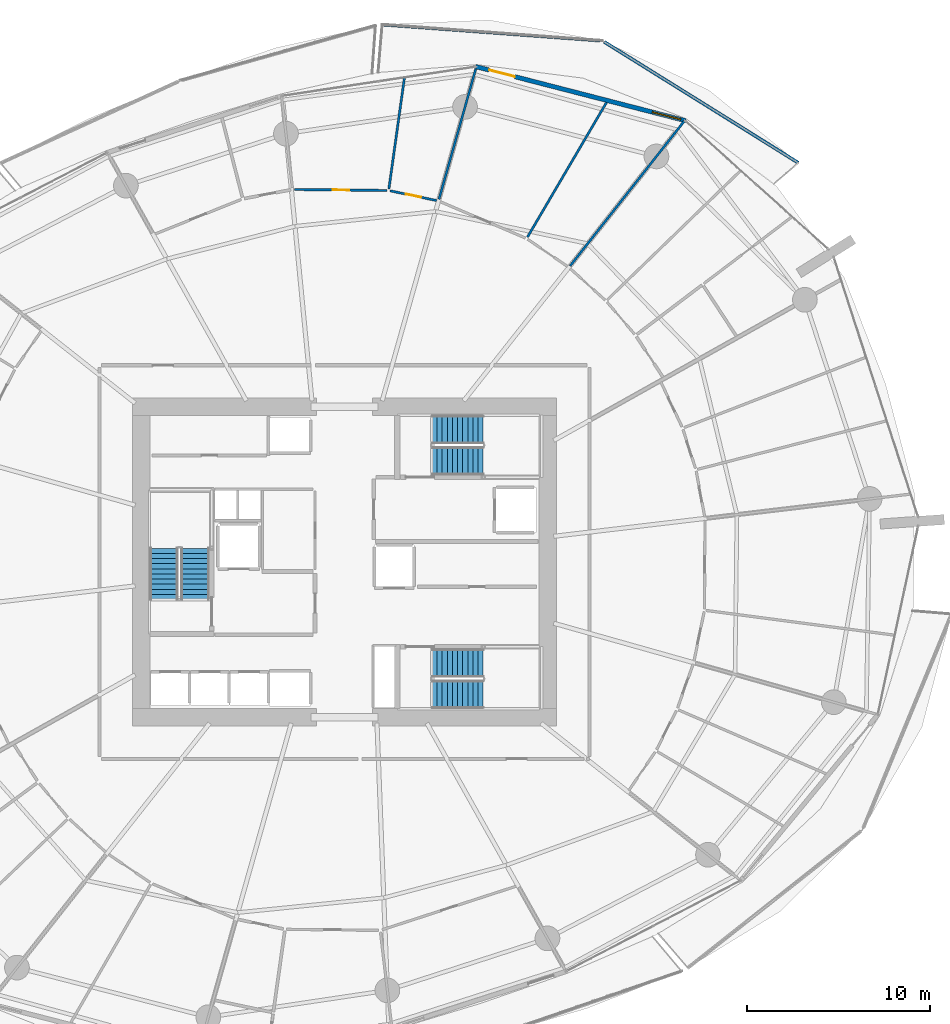
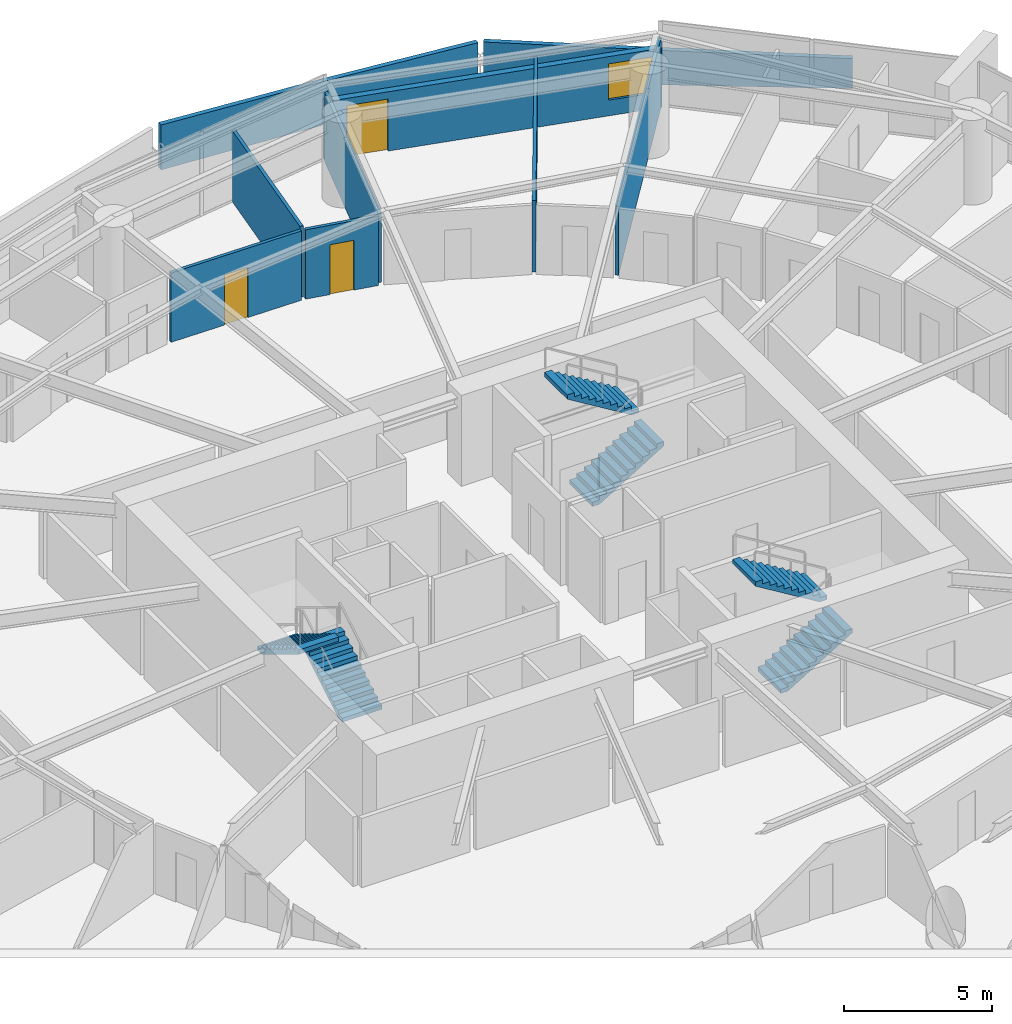
# One storey, part 24 of 31: 9 walls, 6 stair flights, 3 doors, 1 window, 4 openings, 3 elements without a shape of their own.
"""IFC4 building model written with IfcOpenShell, lengths in metres."""

from ifc_helpers import new_model, si_unit, direction, frame, frame_2d, origin, place, context, subcontext, project, spatial, polyline, rectangle, outline, extrude, material, layer, layer_set, type_object, element, fill, aggregate, save


model = new_model("IFC4")

# Units and contexts
model_context = context("Model", 3, precision=1e-05, world=origin(), true_north=direction((0.0, 1.0)))
body_context = subcontext(model_context, "Body", "Model", "MODEL_VIEW")
ifc_project = project(units=[si_unit("LENGTHUNIT", "METRE"), si_unit("AREAUNIT", "SQUARE_METRE"), si_unit("VOLUMEUNIT", "CUBIC_METRE"), si_unit("PLANEANGLEUNIT", "RADIAN"), si_unit("MASSUNIT", "GRAM", prefix="KILO")], contexts=[model_context])

# Site, building, storey
site_placement = place(None, origin())
site = spatial("IfcSite", under=ifc_project, at=site_placement, CompositionType="ELEMENT")
building_placement = place(site_placement, origin())
building = spatial("IfcBuilding", under=site, at=building_placement, Name="Kazma Halo Residences", CompositionType="ELEMENT")
storey_placement = place(building_placement, frame((0.0, 0.0, 33.89990234375)))
storey = spatial("IfcBuildingStorey", under=building, at=storey_placement, Name="L07", CompositionType="ELEMENT", Elevation=33.89990234375)

# Walls
ifc_material_1 = material(Name="White Concrete C50/60 Balustrade", Category="concrete")
ifc_layer_1 = layer(ifc_material_1, 0.179931640625)
ifc_layer_set_1 = layer_set([ifc_layer_1], Name="White Concrete C50/60 Balustrade")
wall_type_1 = type_object("IfcWallType", Name="WL-BAL-WAVE-180", PredefinedType="PARAPET", material=ifc_layer_set_1)
wall_1_placement = place(storey_placement, frame((73.20751953125, 63.797119140625, 0.0), z_axis=(0.0, 0.0, 1.0), x_axis=(-0.848703588119, 0.52886881125, 0.0)))
element("IfcWall", 1, at=wall_1_placement, inside=storey, type_object=wall_type_1, Name="L07 white wave balustrade wall NE.1", PredefinedType="PARAPET", context=body_context, shape_type="SweptSolid", body=[
    extrude(outline(polyline([(0.0, 0.0), (12.4912109375, 0.0), (12.4912109375, 1.632080078125), (6.24560546875, 1.418212890625), (0.0, 1.233154296875), (0.0, 0.0)])), frame((0.0, 0.08984375, 0.0), z_axis=(0.0, -1.0, 0.0), x_axis=(1.0, 0.0, 0.0)), (0.0, 0.0, 1.0), 0.179931640625),
])
wall_2_placement = place(storey_placement, frame((62.384765625, 70.4755859375, 0.0), z_axis=(0.0, 0.0, 1.0), x_axis=(-0.997303550782, 0.073386835312, 0.0)))
element("IfcWall", 2, at=wall_2_placement, inside=storey, type_object=wall_type_1, Name="L07 white wave balustrade wall NE.2", PredefinedType="PARAPET", context=body_context, shape_type="SweptSolid", body=[
    extrude(outline(polyline([(0.0, 0.0), (11.926513671875, 0.0), (11.926513671875, 1.860107421875), (5.96337890625, 1.798095703125), (0.0, 1.632080078125), (0.0, 0.0)])), frame((0.0, 0.08984375, 0.0), z_axis=(0.0, -1.0, 0.0), x_axis=(1.0, 0.0, 0.0)), (0.0, 0.0, 1.0), 0.179931640625),
])

# Wall, openings, door, window
ifc_material_2 = material(Name="Insulated Pale-Metal Composite Wall")
ifc_layer_2 = layer(ifc_material_2, 0.239990234375)
ifc_layer_set_2 = layer_set([ifc_layer_2], Name="Insulated Pale-Metal Composite Wall")
wall_type_2 = type_object("IfcWallType", Name="WL-EXT-HOST-240", PredefinedType="SOLIDWALL", material=ifc_layer_set_2)
wall_3_placement = place(storey_placement, frame((67.05419921875, 66.09619140625, 0.0), z_axis=(0.0, 0.0, 1.0), x_axis=(-0.96833871487, 0.249640007378, 0.0)))
wall_3 = element("IfcWall", 3, at=wall_3_placement, inside=storey, type_object=wall_type_2, Name="L07 exterior terrace-access wall B02", PredefinedType="SOLIDWALL", context=body_context, shape_type="SweptSolid", body=[
    extrude(rectangle(XDim=11.85107421875, YDim=0.239990234375, at=frame_2d((5.925537109375, 0.0))), origin(), (0.0, 0.0, 1.0), 2.4501953125),
])
opening_1_placement = place(wall_3_placement, frame((9.631103515625, 0.0, 0.0)))
opening_1 = element("IfcOpeningElement", 4, at=opening_1_placement, cuts=wall_3, Name="Opening DTR-1600", PredefinedType="OPENING", context=body_context, shape_type="SweptSolid", body=[
    extrude(rectangle(XDim=1.449951171875, YDim=2.14990234375, at=frame_2d((0.72509765625, 1.074951171875))), frame((0.0, 0.1298828125, 0.0), z_axis=(0.0, -1.0, 0.0), x_axis=(1.0, 0.0, 0.0)), (0.0, 0.0, 1.0), 0.260009765625),
])
opening_2_placement = place(wall_3_placement, frame((0.280029296875, 0.0, 0.64990234375)))
opening_2 = element("IfcOpeningElement", 5, at=opening_2_placement, cuts=wall_3, Name="Opening W-1800", PredefinedType="OPENING", context=body_context, shape_type="SweptSolid", body=[
    extrude(rectangle(XDim=1.60009765625, YDim=1.5, at=frame_2d((0.800048828125, 0.75))), frame((0.0, 0.1298828125, 0.0), z_axis=(0.0, -1.0, 0.0), x_axis=(1.0, 0.0, 0.0)), (0.0, 0.0, 1.0), 0.260009765625),
])
ifc_material_3 = material(Name="Aluminium AW-6063 T6 Double-Glazed Terrace Door", Category="aluminium")
door_type_1 = type_object("IfcDoorType", Name="DR-EXT-TERR-1600", OperationType="NOTDEFINED", PredefinedType="DOOR", material=ifc_material_3)
door_1_placement = place(opening_1_placement, origin())
door_1 = element("IfcDoor", 6, at=door_1_placement, inside=storey, type_object=door_type_1, Name="L07 B02 balcony terrace door", OperationType="DOUBLE_DOOR_SLIDING", OverallHeight=2.14990234375, OverallWidth=1.449951171875, PredefinedType="DOOR", context=body_context, shape_type="SweptSolid", body=[
    extrude(rectangle(XDim=1.449951171875, YDim=2.14990234375, at=frame_2d((0.72509765625, 1.074951171875))), frame((0.0, 0.02490234375, 0.0), z_axis=(0.0, -1.0, 0.0), x_axis=(1.0, 0.0, 0.0)), (0.0, 0.0, 1.0), 0.050048828125),
])
fill(opening_1, door_1)
ifc_material_4 = material(Name="Clear Triple-Silver Low-E Glass in Aluminium AW-6063 T6 Frame", Category="aluminium")
window_type = type_object("IfcWindowType", Name="WIN-RES-1800", PartitioningType="DOUBLE_PANEL_VERTICAL", PredefinedType="WINDOW", material=ifc_material_4)
window_placement = place(opening_2_placement, origin())
window = element("IfcWindow", 7, at=window_placement, inside=storey, type_object=window_type, Name="L07 B02 apartment window", OverallHeight=1.5, OverallWidth=1.60009765625, PartitioningType="SINGLE_PANEL", PredefinedType="WINDOW", context=body_context, shape_type="SweptSolid", body=[
    extrude(rectangle(XDim=1.60009765625, YDim=1.5, at=frame_2d((0.800048828125, 0.75))), frame((0.0, 0.030029296875, 0.0), z_axis=(0.0, -1.0, 0.0), x_axis=(1.0, 0.0, 0.0)), (0.0, 0.0, 1.0), 0.06005859375),
])
fill(opening_2, window)

# Walls
ifc_material_5 = material(Name="Gypsum Plasterboard Partition")
ifc_layer_3 = layer(ifc_material_5, 0.125)
ifc_layer_set_3 = layer_set([ifc_layer_3], Name="Gypsum Plasterboard Partition")
wall_type_3 = type_object("IfcWallType", Name="WL-PART-125", PredefinedType="PARTITIONING", material=ifc_layer_set_3)
wall_4_placement = place(storey_placement, frame((60.742919921875, 58.1640625, 0.0), z_axis=(0.0, 0.0, 1.0), x_axis=(0.61907620874, 0.785330916093, 0.0)))
element("IfcWall", 8, at=wall_4_placement, inside=storey, type_object=wall_type_3, Name="L07 Apartment 1 radial partition 1", PredefinedType="PARTITIONING", context=body_context, shape_type="SweptSolid", body=[
    extrude(rectangle(XDim=10.09130859375, YDim=0.125, at=frame_2d((5.045654296875, 0.0))), origin(), (0.0, 0.0, 1.0), 2.8671875),
])
wall_5_placement = place(storey_placement, frame((58.4169921875, 59.74072265625, 0.0), z_axis=(0.0, 0.0, 1.0), x_axis=(0.506296022947, 0.862359749263, 0.0)))
element("IfcWall", 9, at=wall_5_placement, inside=storey, type_object=wall_type_3, Name="L07 Apartment 1 mid-bay wall 1", PredefinedType="PARTITIONING", context=body_context, shape_type="SweptSolid", body=[
    extrude(rectangle(XDim=8.518798828125, YDim=0.125, at=frame_2d((4.25927734375, 0.0))), origin(), (0.0, 0.0, 1.0), 2.940185546875),
])
wall_6_placement = place(storey_placement, frame((53.5869140625, 61.810302734375, 0.0), z_axis=(0.0, 0.0, 1.0), x_axis=(0.271464088879, 0.962448569249, 0.0)))
element("IfcWall", 10, at=wall_6_placement, inside=storey, type_object=wall_type_3, Name="L07 Apartment 1 radial partition 2", PredefinedType="PARTITIONING", context=body_context, shape_type="SweptSolid", body=[
    extrude(rectangle(XDim=7.38916015625, YDim=0.125, at=frame_2d((3.694580078125, 0.0))), origin(), (0.0, 0.0, 1.0), 2.8671875),
])
wall_7_placement = place(storey_placement, frame((50.850830078125, 62.37451171875, 0.0), z_axis=(0.0, 0.0, 1.0), x_axis=(0.138574188501, 0.990352055726, 0.0)))
element("IfcWall", 11, at=wall_7_placement, inside=storey, type_object=wall_type_3, Name="L07 Apartment 1 mid-bay wall 2", PredefinedType="PARTITIONING", context=body_context, shape_type="SweptSolid", body=[
    extrude(rectangle(XDim=6.11181640625, YDim=0.125, at=frame_2d((3.055908203125, 0.0))), origin(), (0.0, 0.0, 1.0), 2.940185546875),
])

# Wall, opening, door
wall_8_placement = place(storey_placement, frame((53.4619140625, 61.734619140625, 0.0), z_axis=(0.0, 0.0, 1.0), x_axis=(-0.978662180334, 0.205475878837, 0.0)))
wall_8 = element("IfcWall", 12, at=wall_8_placement, inside=storey, type_object=wall_type_3, Name="L07 Apartment 1 North Dressing Wardrobe hall wall", PredefinedType="PARTITIONING", context=body_context, shape_type="SweptSolid", body=[
    extrude(rectangle(XDim=2.600830078125, YDim=0.125, at=frame_2d((1.30029296875, 0.0))), origin(), (0.0, 0.0, 1.0), 2.8671875),
])
opening_3_placement = place(wall_8_placement, frame((0.87548828125, 0.0, 0.0)))
opening_3 = element("IfcOpeningElement", 13, at=opening_3_placement, cuts=wall_8, Name="Opening DB-900", PredefinedType="OPENING", context=body_context, shape_type="SweptSolid", body=[
    extrude(rectangle(XDim=0.85009765625, YDim=2.06005859375, at=frame_2d((0.425048828125, 1.030029296875))), frame((0.0, 0.072509765625, 0.0), z_axis=(0.0, -1.0, 0.0), x_axis=(1.0, 0.0, 0.0)), (0.0, 0.0, 1.0), 0.14501953125),
])
ifc_material_6 = material(Name="Moisture-Sealed Timber Leaf", Category="wood")
door_type_2 = type_object("IfcDoorType", Name="DR-BTH-900", OperationType="NOTDEFINED", PredefinedType="DOOR", material=ifc_material_6)
door_2_placement = place(opening_3_placement, origin())
door_2 = element("IfcDoor", 14, at=door_2_placement, inside=storey, type_object=door_type_2, Name="L07 Apartment 1 North Dressing Wardrobe door", OperationType="SINGLE_SWING_RIGHT", OverallHeight=2.06005859375, OverallWidth=0.85009765625, PredefinedType="DOOR", context=body_context, shape_type="SweptSolid", body=[
    extrude(rectangle(XDim=0.85009765625, YDim=2.06005859375, at=frame_2d((0.425048828125, 1.030029296875))), frame((0.0, 0.02490234375, 0.0), z_axis=(0.0, -1.0, 0.0), x_axis=(1.0, 0.0, 0.0)), (0.0, 0.0, 1.0), 0.050048828125),
])
fill(opening_3, door_2)

wall_9_placement = place(storey_placement, frame((50.75830078125, 62.2861328125, 0.0), z_axis=(0.0, 0.0, 1.0), x_axis=(-0.999943799193, 0.010601813775, 0.0)))
wall_9 = element("IfcWall", 15, at=wall_9_placement, inside=storey, type_object=wall_type_3, Name="L07 Apartment 1 South Master Bedroom hall wall", PredefinedType="PARTITIONING", context=body_context, shape_type="SweptSolid", body=[
    extrude(rectangle(XDim=5.066162109375, YDim=0.125, at=frame_2d((2.533203125, 0.0))), origin(), (0.0, 0.0, 1.0), 2.8671875),
])
opening_4_placement = place(wall_9_placement, frame((2.0830078125, 0.0, 0.0)))
opening_4 = element("IfcOpeningElement", 16, at=opening_4_placement, cuts=wall_9, Name="Opening DI-950", PredefinedType="OPENING", context=body_context, shape_type="SweptSolid", body=[
    extrude(rectangle(XDim=0.89990234375, YDim=2.080078125, at=frame_2d((0.449951171875, 1.0400390625))), frame((0.0, 0.072509765625, 0.0), z_axis=(0.0, -1.0, 0.0), x_axis=(1.0, 0.0, 0.0)), (0.0, 0.0, 1.0), 0.14501953125),
])
ifc_material_7 = material(Name="Timber Veneer Flush Leaf", Category="wood")
door_type_3 = type_object("IfcDoorType", Name="DR-INT-950", OperationType="NOTDEFINED", PredefinedType="DOOR", material=ifc_material_7)
door_3_placement = place(opening_4_placement, origin())
door_3 = element("IfcDoor", 17, at=door_3_placement, inside=storey, type_object=door_type_3, Name="L07 Apartment 1 South Master Bedroom door", OperationType="SINGLE_SWING_LEFT", OverallHeight=2.080078125, OverallWidth=0.89990234375, PredefinedType="DOOR", context=body_context, shape_type="SweptSolid", body=[
    extrude(rectangle(XDim=0.89990234375, YDim=2.080078125, at=frame_2d((0.449951171875, 1.0400390625))), frame((0.0, 0.02490234375, 0.0), z_axis=(0.0, -1.0, 0.0), x_axis=(1.0, 0.0, 0.0)), (0.0, 0.0, 1.0), 0.050048828125),
])
fill(opening_4, door_3)

# Stair, stair flights
ifc_material_8 = material(Name="Concrete C50/60", Category="concrete")
stair_type = type_object("IfcStairType", Name="STR-RES1", PredefinedType="HALF_TURN_STAIR", material=ifc_material_8)
stair_1_placement = place(storey_placement, origin())
stair_1 = element("IfcStair", 18, at=stair_1_placement, inside=storey, type_object=stair_type, Name="L07 Core exit stair ST-01", PredefinedType="HALF_TURN_STAIR")
stair_flight_type = type_object("IfcStairFlightType", Name="STR-RES1-FLT", PredefinedType="STRAIGHT", material=ifc_material_8)
stair_flight_1_placement = place(storey_placement, frame((40.27490234375, 39.949951171875, 0.0), z_axis=(0.0, 0.0, 1.0), x_axis=(0.0, 1.0, 0.0)))
stair_flight_1 = element("IfcStairFlight", 19, at=stair_flight_1_placement, type_object=stair_flight_type, Name="ST-01 flight 1", NumberOfRisers=11, NumberOfTreads=10, PredefinedType="STRAIGHT", RiserHeight=0.170454545, TreadLength=0.28, context=body_context, shape_type="SweptSolid", body=[
    extrude(outline(polyline([(0.0, 0.0), (0.0, 0.17041015625), (0.280029296875, 0.17041015625), (0.280029296875, 0.3408203125), (0.56005859375, 0.3408203125), (0.56005859375, 0.511474609375), (0.840087890625, 0.511474609375), (0.840087890625, 0.681884765625), (1.1201171875, 0.681884765625), (1.1201171875, 0.852294921875), (1.39990234375, 0.852294921875), (1.39990234375, 1.022705078125), (1.679931640625, 1.022705078125), (1.679931640625, 1.193115234375), (1.9599609375, 1.193115234375), (1.9599609375, 1.363525390625), (2.239990234375, 1.363525390625), (2.239990234375, 1.5341796875), (2.52001953125, 1.5341796875), (2.52001953125, 1.70458984375), (2.800048828125, 1.70458984375), (2.800048828125, 1.875), (2.800048828125, 1.529052734375), (0.288330078125, 0.0), (0.0, 0.0)])), frame((0.0, 0.77490234375, 0.0), z_axis=(0.0, -1.0, 0.0), x_axis=(1.0, 0.0, 0.0)), (0.0, 0.0, 1.0), 1.550048828125),
])
stair_flight_2_placement = place(storey_placement, frame((38.574951171875, 42.75, 1.875), z_axis=(0.0, 0.0, 1.0), x_axis=(0.0, -1.0, 0.0)))
stair_flight_2 = element("IfcStairFlight", 20, at=stair_flight_2_placement, type_object=stair_flight_type, Name="ST-01 flight 2", NumberOfRisers=11, NumberOfTreads=10, PredefinedType="STRAIGHT", RiserHeight=0.170454545, TreadLength=0.28, context=body_context, shape_type="SweptSolid", body=[
    extrude(outline(polyline([(0.0, 0.0), (0.0, 0.17041015625), (0.280029296875, 0.17041015625), (0.280029296875, 0.3408203125), (0.56005859375, 0.3408203125), (0.56005859375, 0.511474609375), (0.840087890625, 0.511474609375), (0.840087890625, 0.681884765625), (1.1201171875, 0.681884765625), (1.1201171875, 0.852294921875), (1.39990234375, 0.852294921875), (1.39990234375, 1.022705078125), (1.679931640625, 1.022705078125), (1.679931640625, 1.193115234375), (1.9599609375, 1.193115234375), (1.9599609375, 1.363525390625), (2.239990234375, 1.363525390625), (2.239990234375, 1.5341796875), (2.52001953125, 1.5341796875), (2.52001953125, 1.70458984375), (2.800048828125, 1.70458984375), (2.800048828125, 1.875), (2.800048828125, 1.529052734375), (0.288330078125, 0.0), (0.0, 0.0)])), frame((0.0, 0.77490234375, 0.0), z_axis=(0.0, -1.0, 0.0), x_axis=(1.0, 0.0, 0.0)), (0.0, 0.0, 1.0), 1.550048828125),
])
aggregate(stair_1, [stair_flight_1, stair_flight_2])

stair_2_placement = place(storey_placement, origin())
stair_2 = element("IfcStair", 21, at=stair_2_placement, inside=storey, type_object=stair_type, Name="L07 Core exit stair ST-02", PredefinedType="HALF_TURN_STAIR")
stair_flight_3_placement = place(storey_placement, frame((53.199951171875, 47.52490234375, 0.0), z_axis=(0.0, 0.0, 1.0), x_axis=(1.0, 0.0, 0.0)))
stair_flight_3 = element("IfcStairFlight", 22, at=stair_flight_3_placement, type_object=stair_flight_type, Name="ST-02 flight 1", NumberOfRisers=11, NumberOfTreads=10, PredefinedType="STRAIGHT", RiserHeight=0.170454545, TreadLength=0.28, context=body_context, shape_type="SweptSolid", body=[
    extrude(outline(polyline([(0.0, 0.0), (0.0, 0.17041015625), (0.280029296875, 0.17041015625), (0.280029296875, 0.3408203125), (0.56005859375, 0.3408203125), (0.56005859375, 0.511474609375), (0.840087890625, 0.511474609375), (0.840087890625, 0.681884765625), (1.1201171875, 0.681884765625), (1.1201171875, 0.852294921875), (1.39990234375, 0.852294921875), (1.39990234375, 1.022705078125), (1.679931640625, 1.022705078125), (1.679931640625, 1.193115234375), (1.9599609375, 1.193115234375), (1.9599609375, 1.363525390625), (2.239990234375, 1.363525390625), (2.239990234375, 1.5341796875), (2.52001953125, 1.5341796875), (2.52001953125, 1.70458984375), (2.800048828125, 1.70458984375), (2.800048828125, 1.875), (2.800048828125, 1.529052734375), (0.288330078125, 0.0), (0.0, 0.0)])), frame((0.0, 0.77490234375, 0.0), z_axis=(0.0, -1.0, 0.0), x_axis=(1.0, 0.0, 0.0)), (0.0, 0.0, 1.0), 1.550048828125),
])
stair_flight_4_placement = place(storey_placement, frame((56.0, 49.22509765625, 1.875), z_axis=(0.0, 0.0, 1.0), x_axis=(-1.0, 0.0, 0.0)))
stair_flight_4 = element("IfcStairFlight", 23, at=stair_flight_4_placement, type_object=stair_flight_type, Name="ST-02 flight 2", NumberOfRisers=11, NumberOfTreads=10, PredefinedType="STRAIGHT", RiserHeight=0.170454545, TreadLength=0.28, context=body_context, shape_type="SweptSolid", body=[
    extrude(outline(polyline([(0.0, 0.0), (0.0, 0.17041015625), (0.280029296875, 0.17041015625), (0.280029296875, 0.3408203125), (0.56005859375, 0.3408203125), (0.56005859375, 0.511474609375), (0.840087890625, 0.511474609375), (0.840087890625, 0.681884765625), (1.1201171875, 0.681884765625), (1.1201171875, 0.852294921875), (1.39990234375, 0.852294921875), (1.39990234375, 1.022705078125), (1.679931640625, 1.022705078125), (1.679931640625, 1.193115234375), (1.9599609375, 1.193115234375), (1.9599609375, 1.363525390625), (2.239990234375, 1.363525390625), (2.239990234375, 1.5341796875), (2.52001953125, 1.5341796875), (2.52001953125, 1.70458984375), (2.800048828125, 1.70458984375), (2.800048828125, 1.875), (2.800048828125, 1.529052734375), (0.288330078125, 0.0), (0.0, 0.0)])), frame((0.0, 0.77490234375, 0.0), z_axis=(0.0, -1.0, 0.0), x_axis=(1.0, 0.0, 0.0)), (0.0, 0.0, 1.0), 1.550048828125),
])
aggregate(stair_2, [stair_flight_3, stair_flight_4])

stair_3_placement = place(storey_placement, origin())
stair_3 = element("IfcStair", 24, at=stair_3_placement, inside=storey, type_object=stair_type, Name="L07 Core exit stair ST-03", PredefinedType="HALF_TURN_STAIR")
stair_flight_5_placement = place(storey_placement, frame((53.199951171875, 34.77490234375, 0.0), z_axis=(0.0, 0.0, 1.0), x_axis=(1.0, 0.0, 0.0)))
stair_flight_5 = element("IfcStairFlight", 25, at=stair_flight_5_placement, type_object=stair_flight_type, Name="ST-03 flight 1", NumberOfRisers=11, NumberOfTreads=10, PredefinedType="STRAIGHT", RiserHeight=0.170454545, TreadLength=0.28, context=body_context, shape_type="SweptSolid", body=[
    extrude(outline(polyline([(0.0, 0.0), (0.0, 0.17041015625), (0.280029296875, 0.17041015625), (0.280029296875, 0.3408203125), (0.56005859375, 0.3408203125), (0.56005859375, 0.511474609375), (0.840087890625, 0.511474609375), (0.840087890625, 0.681884765625), (1.1201171875, 0.681884765625), (1.1201171875, 0.852294921875), (1.39990234375, 0.852294921875), (1.39990234375, 1.022705078125), (1.679931640625, 1.022705078125), (1.679931640625, 1.193115234375), (1.9599609375, 1.193115234375), (1.9599609375, 1.363525390625), (2.239990234375, 1.363525390625), (2.239990234375, 1.5341796875), (2.52001953125, 1.5341796875), (2.52001953125, 1.70458984375), (2.800048828125, 1.70458984375), (2.800048828125, 1.875), (2.800048828125, 1.529052734375), (0.288330078125, 0.0), (0.0, 0.0)])), frame((0.0, 0.77490234375, 0.0), z_axis=(0.0, -1.0, 0.0), x_axis=(1.0, 0.0, 0.0)), (0.0, 0.0, 1.0), 1.550048828125),
])
stair_flight_6_placement = place(storey_placement, frame((56.0, 36.47509765625, 1.875), z_axis=(0.0, 0.0, 1.0), x_axis=(-1.0, 0.0, 0.0)))
stair_flight_6 = element("IfcStairFlight", 26, at=stair_flight_6_placement, type_object=stair_flight_type, Name="ST-03 flight 2", NumberOfRisers=11, NumberOfTreads=10, PredefinedType="STRAIGHT", RiserHeight=0.170454545, TreadLength=0.28, context=body_context, shape_type="SweptSolid", body=[
    extrude(outline(polyline([(0.0, 0.0), (0.0, 0.17041015625), (0.280029296875, 0.17041015625), (0.280029296875, 0.3408203125), (0.56005859375, 0.3408203125), (0.56005859375, 0.511474609375), (0.840087890625, 0.511474609375), (0.840087890625, 0.681884765625), (1.1201171875, 0.681884765625), (1.1201171875, 0.852294921875), (1.39990234375, 0.852294921875), (1.39990234375, 1.022705078125), (1.679931640625, 1.022705078125), (1.679931640625, 1.193115234375), (1.9599609375, 1.193115234375), (1.9599609375, 1.363525390625), (2.239990234375, 1.363525390625), (2.239990234375, 1.5341796875), (2.52001953125, 1.5341796875), (2.52001953125, 1.70458984375), (2.800048828125, 1.70458984375), (2.800048828125, 1.875), (2.800048828125, 1.529052734375), (0.288330078125, 0.0), (0.0, 0.0)])), frame((0.0, 0.77490234375, 0.0), z_axis=(0.0, -1.0, 0.0), x_axis=(1.0, 0.0, 0.0)), (0.0, 0.0, 1.0), 1.550048828125),
])
aggregate(stair_3, [stair_flight_5, stair_flight_6])

save(model, "model.ifc")
